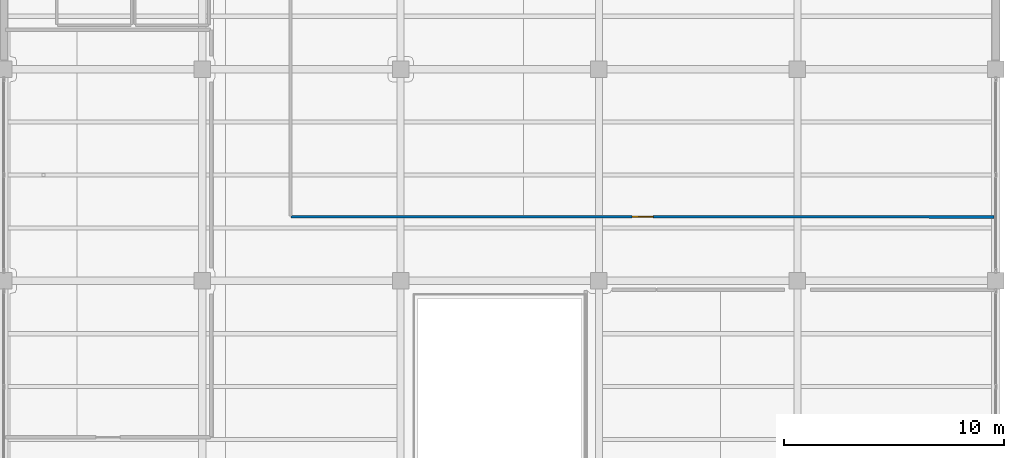
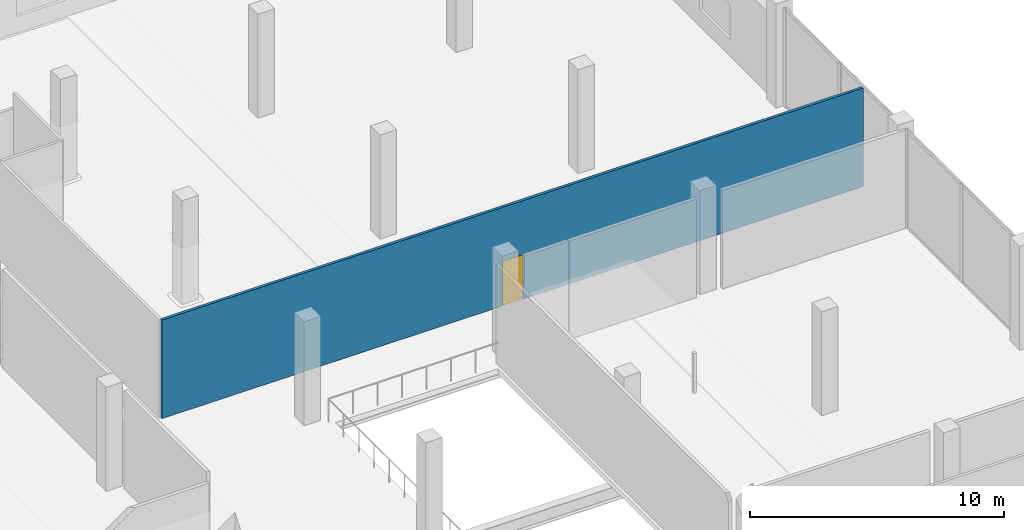
# One storey, part 32 of 47: 1 door, 1 wall, 1 opening.
"""IFC4 building model written with IfcOpenShell, lengths in metres."""

from ifc_helpers import new_model, si_unit, direction, frame, frame_2d, origin, place, context, subcontext, project, spatial, rectangle, extrude, material, layer, layer_set, type_object, element, fill, save


model = new_model("IFC4")

# Units and contexts
model_context = context("Model", 3, precision=1e-05, world=origin(), true_north=direction((0.0, 1.0)))
body_context = subcontext(model_context, "Body", "Model", "MODEL_VIEW")
ifc_project = project(units=[si_unit("LENGTHUNIT", "METRE"), si_unit("AREAUNIT", "SQUARE_METRE"), si_unit("VOLUMEUNIT", "CUBIC_METRE"), si_unit("PLANEANGLEUNIT", "RADIAN"), si_unit("MASSUNIT", "GRAM", prefix="KILO")], contexts=[model_context])

# Site, building, storey
site_placement = place(None, origin())
site = spatial("IfcSite", under=ifc_project, at=site_placement, CompositionType="ELEMENT")
building_placement = place(site_placement, origin())
building = spatial("IfcBuilding", under=site, at=building_placement, Name="Qorvath Tower", CompositionType="ELEMENT")
storey_placement = place(building_placement, frame((0.0, 0.0, 12.0)))
storey = spatial("IfcBuildingStorey", under=building, at=storey_placement, Name="L02", CompositionType="ELEMENT", Elevation=12.0)

# Wall, opening, door
ifc_material_1 = material(Name="Gypsum board on metal studs with mineral wool", Category="gypsum")
ifc_layer = layer(ifc_material_1, 0.125)
ifc_layer_set = layer_set([ifc_layer], Name="IW-PART-125")
wall_type = type_object("IfcWallType", Name="IW-PART-125", PredefinedType="PARTITIONING", material=ifc_layer_set)
wall_placement = place(storey_placement, frame((45.43310546875, 12.508056640625, 0.0), z_axis=(0.0, 0.0, 1.0), x_axis=(0.999999968081, -0.000252662519, 0.0)))
wall = element("IfcWall", 1, at=wall_placement, inside=storey, type_object=wall_type, Name="Interior Partition IW-LB-L02-021", PredefinedType="PARTITIONING", context=body_context, shape_type="SweptSolid", body=[
    extrude(rectangle(XDim=31.886962890625, YDim=0.125, at=frame_2d((15.943359375, 0.0))), origin(), (0.0, 0.0, 1.0), 4.739990234375),
])
opening_placement = place(wall_placement, frame((15.468505859375, 0.0, 0.0)))
opening = element("IfcOpeningElement", 2, at=opening_placement, cuts=wall, Name="Opening D-LB-L02-05", PredefinedType="OPENING", context=body_context, shape_type="SweptSolid", body=[
    extrude(rectangle(XDim=0.949951171875, YDim=2.14990234375, at=frame_2d((0.47509765625, 1.074951171875))), frame((0.0, 0.072509765625, 0.0), z_axis=(0.0, -1.0, 0.0), x_axis=(1.0, 0.0, 0.0)), (0.0, 0.0, 1.0), 0.14501953125),
])
ifc_material_2 = material(Name="Solid-core American white oak veneer", Category="wood")
door_type = type_object("IfcDoorType", Name="D-01", OperationType="NOTDEFINED", PredefinedType="DOOR", material=ifc_material_2)
door_placement = place(opening_placement, origin())
door = element("IfcDoor", 3, at=door_placement, inside=storey, type_object=door_type, Name="L-L02-STK-N Open Book Stack Collection North L02 Door D-LB-L02-05", OperationType="SINGLE_SWING_LEFT", OverallHeight=2.14990234375, OverallWidth=0.949951171875, PredefinedType="DOOR", context=body_context, shape_type="SweptSolid", body=[
    extrude(rectangle(XDim=0.949951171875, YDim=2.14990234375, at=frame_2d((0.47509765625, 1.074951171875))), frame((0.0, 0.02490234375, 0.0), z_axis=(0.0, -1.0, 0.0), x_axis=(1.0, 0.0, 0.0)), (0.0, 0.0, 1.0), 0.050048828125),
])
fill(opening, door)

save(model, "model.ifc")
